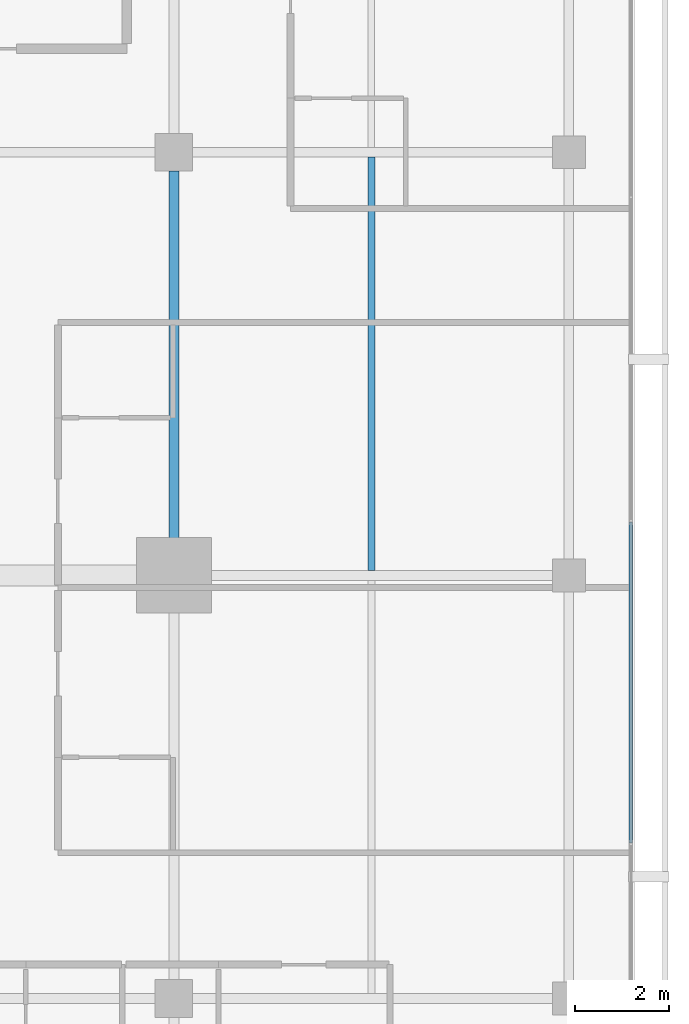
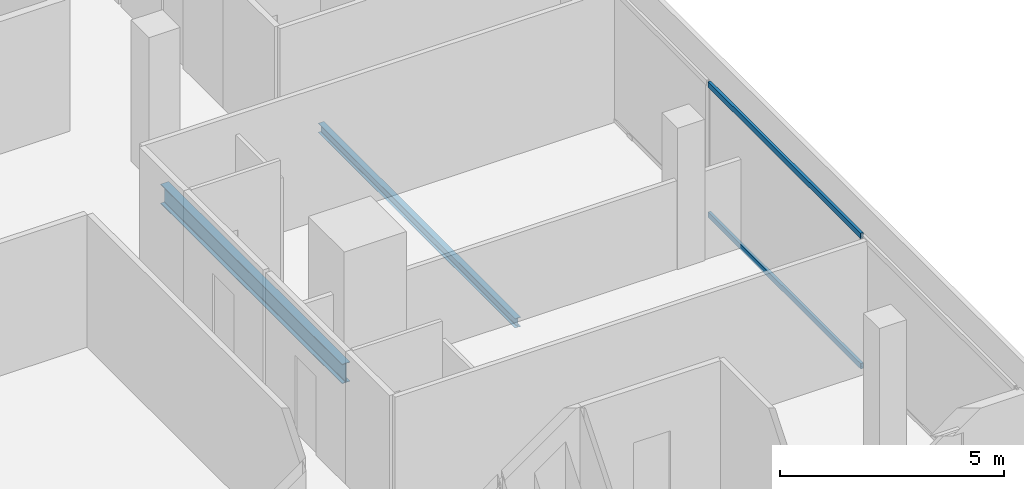
# One storey, part 13 of 26: 2 beams, 2 members, 1 element without a shape of its own.
"""IFC4 building model written with IfcOpenShell, lengths in metres."""

from ifc_helpers import new_model, si_unit, direction, frame, origin, origin_2d, place, context, subcontext, project, spatial, hollow_rectangle, i_section, extrude, material, layer, layer_set, material_profile, profile_set, type_object, element, aggregate, save


model = new_model("IFC4")

# Units and contexts
model_context = context("Model", 3, precision=1e-05, world=origin(), true_north=direction((0.0, 1.0)))
body_context = subcontext(model_context, "Body", "Model", "MODEL_VIEW")
ifc_project = project(units=[si_unit("LENGTHUNIT", "METRE"), si_unit("AREAUNIT", "SQUARE_METRE"), si_unit("VOLUMEUNIT", "CUBIC_METRE"), si_unit("PLANEANGLEUNIT", "RADIAN"), si_unit("MASSUNIT", "GRAM", prefix="KILO")], contexts=[model_context])

# Site, building, storey
site_placement = place(None, origin())
site = spatial("IfcSite", under=ifc_project, at=site_placement, CompositionType="ELEMENT")
building_placement = place(site_placement, origin())
building = spatial("IfcBuilding", under=site, at=building_placement, Name="Maruvema Waterfront Hotel and Observation Tower", CompositionType="ELEMENT")
storey_placement = place(building_placement, frame((0.0, 0.0, 243.25)))
storey = spatial("IfcBuildingStorey", under=building, at=storey_placement, Name="L59", CompositionType="ELEMENT", Elevation=243.25)

# Curtain wall, members
ifc_material_1 = material(Name="Anodised bronze aluminium and solar-control low-E IGU", Category="aluminium")
ifc_layer = layer(ifc_material_1, 0.159912109375, Name="Zone 3 Champagne Inner Thermal Curtain Wall System CW-04")
ifc_layer_set = layer_set([ifc_layer], Name="Anodised bronze aluminium and solar-control low-E IGU")
curtain_wall_type = type_object("IfcCurtainWallType", Name="Zone 3 Champagne Inner Thermal Curtain Wall System CW-04", PredefinedType="USERDEFINED", material=ifc_layer_set)
curtain_wall_placement = place(storey_placement, origin())
curtain_wall = element("IfcCurtainWall", 1, at=curtain_wall_placement, inside=storey, type_object=curtain_wall_type, Name="L59 Curtain Wall CW-L59-E", ObjectType="UNITISED CURTAIN WALL", PredefinedType="USERDEFINED")
ifc_material_2 = material(Name="Anodised architectural bronze aluminium", Category="aluminium")
ifc_material_profile_1 = material_profile(ifc_material_2, hollow_rectangle(XDim=0.070068359375, YDim=0.14990234375, WallThickness=0.00390625, at=origin_2d()), Name="ALU-T70x150")
ifc_profile_set_1 = profile_set([ifc_material_profile_1], Name="Anodised architectural bronze aluminium")
member_type = type_object("IfcMemberType", Name="Curtain Wall Horizontal Transom ALU-T70x150", PredefinedType="USERDEFINED", material=ifc_profile_set_1)
member_1_placement = place(storey_placement, frame((60.1201171875, 21.31005859375, 0.030029296875), z_axis=(0.0, 1.0, 0.0), x_axis=(-1.0, 0.0, 0.0)))
member_1 = element("IfcMember", 2, at=member_1_placement, type_object=member_type, Name="CW-04 transom 2.1", ObjectType="TRANSOM", PredefinedType="USERDEFINED", context=body_context, shape_type="SweptSolid", body=[
    extrude(hollow_rectangle(XDim=0.070068359375, YDim=0.14990234375, WallThickness=0.00390625, at=origin_2d()), origin(), (0.0, 0.0, 1.0), 6.81982421875),
])
member_2_placement = place(storey_placement, frame((60.1201171875, 21.31005859375, 3.580078125), z_axis=(0.0, 1.0, 0.0), x_axis=(-1.0, 0.0, 0.0)))
member_2 = element("IfcMember", 3, at=member_2_placement, type_object=member_type, Name="CW-04 transom 2.2", ObjectType="TRANSOM", PredefinedType="USERDEFINED", context=body_context, shape_type="SweptSolid", body=[
    extrude(hollow_rectangle(XDim=0.070068359375, YDim=0.14990234375, WallThickness=0.00390625, at=origin_2d()), origin(), (0.0, 0.0, 1.0), 6.81982421875),
])
aggregate(curtain_wall, [member_1, member_2])

# Beams
ifc_material_3 = material(Name="Steel ASTM A572 Grade 50", Category="steel")
ifc_material_profile_2 = material_profile(ifc_material_3, i_section(OverallWidth=0.208984375, OverallDepth=0.532958984375, WebThickness=0.01025390625, FlangeThickness=0.015625, FilletRadius=0.014892578125, at=origin_2d()), Name="W530x92.0")
ifc_profile_set_2 = profile_set([ifc_material_profile_2], Name="Steel ASTM A572 Grade 50")
beam_type_1 = type_object("IfcBeamType", Name="Primary Floor Girder W530x92.0", PredefinedType="BEAM", material=ifc_profile_set_2)
beam_1_placement = place(storey_placement, frame((50.39990234375, 27.5, -0.506591796875), z_axis=(0.0, 1.0, 0.0), x_axis=(-1.0, 0.0, 0.0)))
element("IfcBeam", 4, at=beam_1_placement, inside=storey, type_object=beam_type_1, Name="L59 Floor Girder NS-14", PredefinedType="BEAM", context=body_context, shape_type="SweptSolid", body=[
    extrude(i_section(OverallWidth=0.208984375, OverallDepth=0.532958984375, WebThickness=0.01025390625, FlangeThickness=0.015625, FilletRadius=0.014892578125, at=origin_2d()), origin(), (0.0, 0.0, 1.0), 8.10009765625),
])
ifc_material_4 = material(Name="Steel ASTM A572 Grade 50", Category="steel")
ifc_material_profile_3 = material_profile(ifc_material_4, i_section(OverallWidth=0.14599609375, OverallDepth=0.258056640625, WebThickness=0.006103515625, FlangeThickness=0.009033203125, FilletRadius=0.012939453125, at=origin_2d()), Name="W250x32.7")
ifc_profile_set_3 = profile_set([ifc_material_profile_3], Name="Steel ASTM A572 Grade 50")
beam_type_2 = type_object("IfcBeamType", Name="Secondary Floor Joist W250x32.7", PredefinedType="JOIST", material=ifc_profile_set_3)
beam_2_placement = place(storey_placement, frame((54.60009765625, 27.1044921875, -0.368896484375), z_axis=(0.0, 1.0, 0.0), x_axis=(-1.0, 0.0, 0.0)))
element("IfcBeam", 5, at=beam_2_placement, inside=storey, type_object=beam_type_2, Name="L59 Secondary Floor Joist JS-08", PredefinedType="JOIST", context=body_context, shape_type="SweptSolid", body=[
    extrude(i_section(OverallWidth=0.14599609375, OverallDepth=0.258056640625, WebThickness=0.006103515625, FlangeThickness=0.009033203125, FilletRadius=0.012939453125, at=origin_2d()), origin(), (0.0, 0.0, 1.0), 8.791015625),
])

save(model, "model.ifc")
